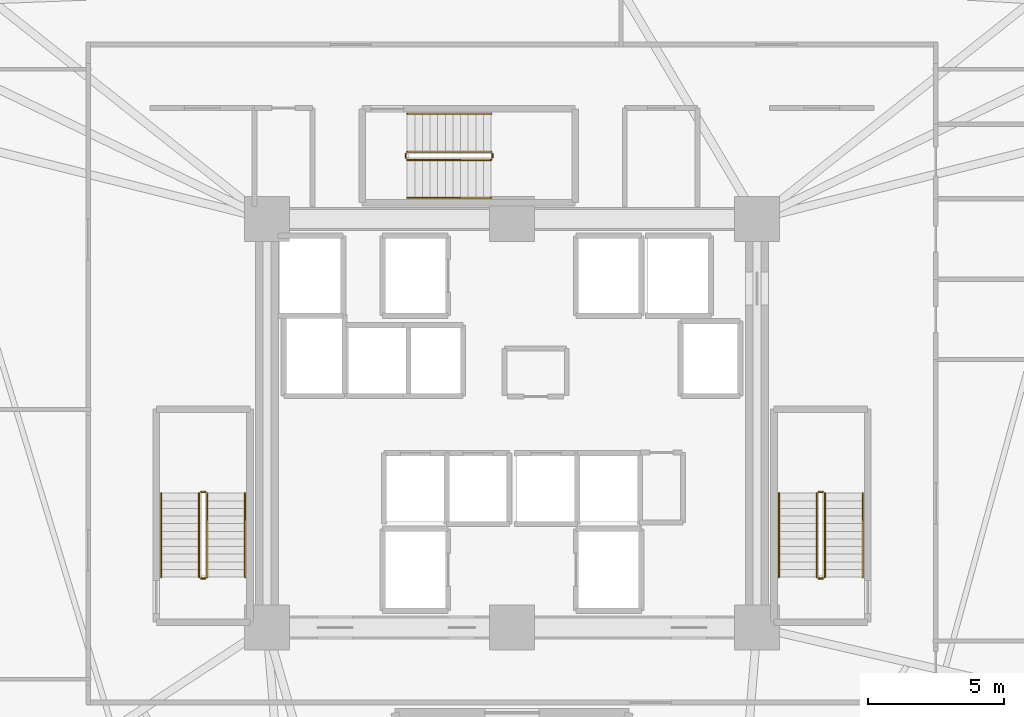
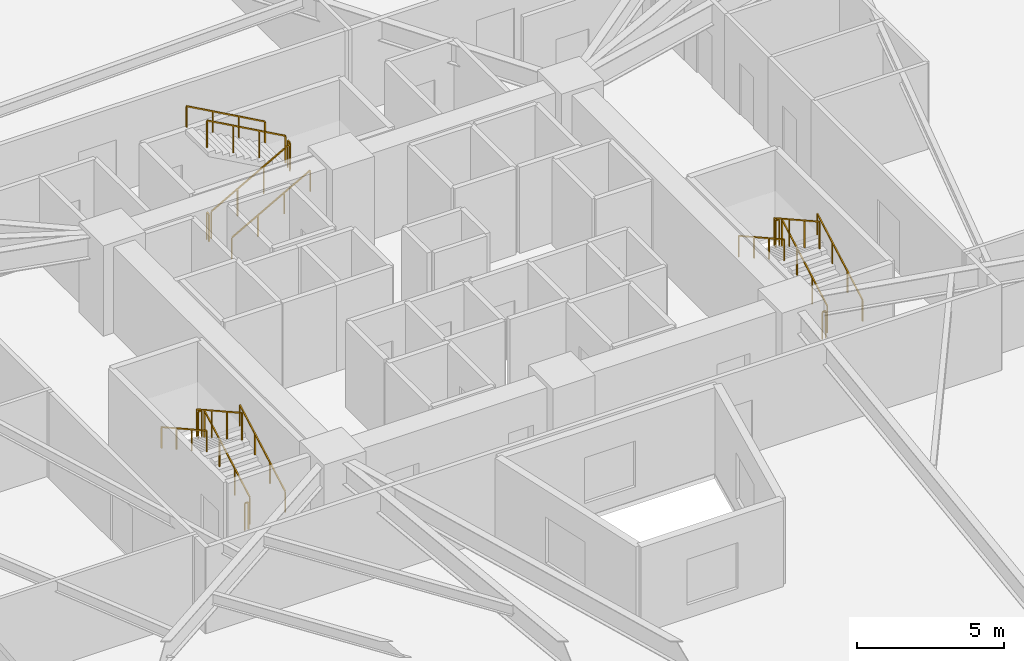
# One storey, part 8 of 8: 18 railings.
"""IFC4 building model written with IfcOpenShell, lengths in metres."""

from ifc_helpers import new_model, si_unit, direction, frame, origin, origin_2d, place, context, subcontext, project, spatial, rectangle, extrude, material, type_object, element, save


model = new_model("IFC4")

# Units and contexts
model_context = context("Model", 3, precision=1e-05, world=origin(), true_north=direction((0.0, 1.0)))
body_context = subcontext(model_context, "Body", "Model", "MODEL_VIEW")
ifc_project = project(units=[si_unit("LENGTHUNIT", "METRE"), si_unit("AREAUNIT", "SQUARE_METRE"), si_unit("VOLUMEUNIT", "CUBIC_METRE"), si_unit("PLANEANGLEUNIT", "RADIAN"), si_unit("MASSUNIT", "GRAM", prefix="KILO")], contexts=[model_context])

# Site, building, storey
site_placement = place(None, origin())
site = spatial("IfcSite", under=ifc_project, at=site_placement, CompositionType="ELEMENT")
building_placement = place(site_placement, origin())
building = spatial("IfcBuilding", under=site, at=building_placement, Name="Liaohun Quay Tower", CompositionType="ELEMENT")
storey_placement = place(building_placement, frame((0.0, 0.0, 63.0)))
storey = spatial("IfcBuildingStorey", under=building, at=storey_placement, Name="L16", CompositionType="ELEMENT", Elevation=63.0)

# Railings
ifc_material_1 = material(Name="Painted tubular steel", Category="steel")
railing_type_1 = type_object("IfcRailingType", Name="RLG-GUARD-STR", PredefinedType="GUARDRAIL", material=ifc_material_1)
railing_1_placement = place(storey_placement, frame((48.81005859375, 48.35009765625, 0.15625)))
element("IfcRailing", 1, at=railing_1_placement, inside=storey, type_object=railing_type_1, Name="L16 ST-1 stair guard 1", PredefinedType="GUARDRAIL", context=body_context, shape_type="SweptSolid", body=[
    extrude(rectangle(XDim=0.048095703125, YDim=0.048095703125, at=origin_2d()), frame((0.0, 0.0, 1.1259765625), z_axis=(0.0, 0.873225103656, 0.487317061414), x_axis=(-1.0, 0.0, 0.0)), (0.0, 0.0, 1.0), 3.52685546875),
    extrude(rectangle(XDim=0.0419921875, YDim=0.0419921875, at=origin_2d()), origin(), (0.0, 0.0, 1.0), 1.101806640625),
    extrude(rectangle(XDim=0.0419921875, YDim=0.0419921875, at=origin_2d()), frame((0.0, 1.026611328125, 0.572998046875)), (0.0, 0.0, 1.0), 1.101806640625),
    extrude(rectangle(XDim=0.0419921875, YDim=0.0419921875, at=origin_2d()), frame((0.0, 2.05322265625, 1.145751953125)), (0.0, 0.0, 1.0), 1.101806640625),
    extrude(rectangle(XDim=0.0419921875, YDim=0.0419921875, at=origin_2d()), frame((0.0, 3.079833984375, 1.71875)), (0.0, 0.0, 1.0), 1.101806640625),
])
railing_2_placement = place(storey_placement, frame((48.72998046875, 51.47998046875, 1.875)))
element("IfcRailing", 2, at=railing_2_placement, inside=storey, type_object=railing_type_1, Name="L16 ST-1 stair guard 2", PredefinedType="GUARDRAIL", context=body_context, shape_type="SweptSolid", body=[
    extrude(rectangle(XDim=0.048095703125, YDim=0.048095703125, at=origin_2d()), frame((0.0, 0.0, 1.1259765625), z_axis=(-1.0, 0.0, 0.0), x_axis=(0.0, -1.0, 0.0)), (0.0, 0.0, 1.0), 0.139892578125),
    extrude(rectangle(XDim=0.0419921875, YDim=0.0419921875, at=origin_2d()), origin(), (0.0, 0.0, 1.0), 1.101806640625),
    extrude(rectangle(XDim=0.0419921875, YDim=0.0419921875, at=origin_2d()), frame((-0.139892578125, 0.0, 0.0)), (0.0, 0.0, 1.0), 1.101806640625),
])
railing_3_placement = place(storey_placement, frame((48.510009765625, 51.429931640625, 2.03125)))
element("IfcRailing", 3, at=railing_3_placement, inside=storey, type_object=railing_type_1, Name="L16 ST-1 stair guard 3", PredefinedType="GUARDRAIL", context=body_context, shape_type="SweptSolid", body=[
    extrude(rectangle(XDim=0.048095703125, YDim=0.048095703125, at=origin_2d()), frame((0.0, 0.0, 1.1259765625), z_axis=(0.0, -0.873225103656, 0.487317061414), x_axis=(1.0, 0.0, 0.0)), (0.0, 0.0, 1.0), 3.52685546875),
    extrude(rectangle(XDim=0.0419921875, YDim=0.0419921875, at=origin_2d()), origin(), (0.0, 0.0, 1.0), 1.101806640625),
    extrude(rectangle(XDim=0.0419921875, YDim=0.0419921875, at=origin_2d()), frame((0.0, -1.026611328125, 0.572998046875)), (0.0, 0.0, 1.0), 1.101806640625),
    extrude(rectangle(XDim=0.0419921875, YDim=0.0419921875, at=origin_2d()), frame((0.0, -2.05322265625, 1.145751953125)), (0.0, 0.0, 1.0), 1.101806640625),
    extrude(rectangle(XDim=0.0419921875, YDim=0.0419921875, at=origin_2d()), frame((0.0, -3.079833984375, 1.71875)), (0.0, 0.0, 1.0), 1.101806640625),
])
railing_4_placement = place(storey_placement, frame((48.72998046875, 48.300048828125, 0.0)))
element("IfcRailing", 4, at=railing_4_placement, inside=storey, type_object=railing_type_1, Name="L16 ST-1 stair guard 4", PredefinedType="GUARDRAIL", context=body_context, shape_type="SweptSolid", body=[
    extrude(rectangle(XDim=0.048095703125, YDim=0.048095703125, at=origin_2d()), frame((0.0, 0.0, 1.1259765625), z_axis=(-1.0, 0.0, 0.0), x_axis=(0.0, -1.0, 0.0)), (0.0, 0.0, 1.0), 0.139892578125),
    extrude(rectangle(XDim=0.0419921875, YDim=0.0419921875, at=origin_2d()), origin(), (0.0, 0.0, 1.0), 1.101806640625),
    extrude(rectangle(XDim=0.0419921875, YDim=0.0419921875, at=origin_2d()), frame((-0.139892578125, 0.0, 0.0)), (0.0, 0.0, 1.0), 1.101806640625),
])
railing_5_placement = place(storey_placement, frame((71.489990234375, 48.35009765625, 0.15625)))
element("IfcRailing", 5, at=railing_5_placement, inside=storey, type_object=railing_type_1, Name="L16 ST-2 stair guard 1", PredefinedType="GUARDRAIL", context=body_context, shape_type="SweptSolid", body=[
    extrude(rectangle(XDim=0.048095703125, YDim=0.048095703125, at=origin_2d()), frame((0.0, 0.0, 1.1259765625), z_axis=(0.0, 0.873225103656, 0.487317061414), x_axis=(-1.0, 0.0, 0.0)), (0.0, 0.0, 1.0), 3.52685546875),
    extrude(rectangle(XDim=0.0419921875, YDim=0.0419921875, at=origin_2d()), origin(), (0.0, 0.0, 1.0), 1.101806640625),
    extrude(rectangle(XDim=0.0419921875, YDim=0.0419921875, at=origin_2d()), frame((0.0, 1.026611328125, 0.572998046875)), (0.0, 0.0, 1.0), 1.101806640625),
    extrude(rectangle(XDim=0.0419921875, YDim=0.0419921875, at=origin_2d()), frame((0.0, 2.05322265625, 1.145751953125)), (0.0, 0.0, 1.0), 1.101806640625),
    extrude(rectangle(XDim=0.0419921875, YDim=0.0419921875, at=origin_2d()), frame((0.0, 3.079833984375, 1.71875)), (0.0, 0.0, 1.0), 1.101806640625),
])
railing_6_placement = place(storey_placement, frame((71.409912109375, 51.47998046875, 1.875)))
element("IfcRailing", 6, at=railing_6_placement, inside=storey, type_object=railing_type_1, Name="L16 ST-2 stair guard 2", PredefinedType="GUARDRAIL", context=body_context, shape_type="SweptSolid", body=[
    extrude(rectangle(XDim=0.048095703125, YDim=0.048095703125, at=origin_2d()), frame((0.0, 0.0, 1.1259765625), z_axis=(-1.0, 0.0, 0.0), x_axis=(0.0, -1.0, 0.0)), (0.0, 0.0, 1.0), 0.139892578125),
    extrude(rectangle(XDim=0.0419921875, YDim=0.0419921875, at=origin_2d()), origin(), (0.0, 0.0, 1.0), 1.101806640625),
    extrude(rectangle(XDim=0.0419921875, YDim=0.0419921875, at=origin_2d()), frame((-0.139892578125, 0.0, 0.0)), (0.0, 0.0, 1.0), 1.101806640625),
])
railing_7_placement = place(storey_placement, frame((71.18994140625, 51.429931640625, 2.03125)))
element("IfcRailing", 7, at=railing_7_placement, inside=storey, type_object=railing_type_1, Name="L16 ST-2 stair guard 3", PredefinedType="GUARDRAIL", context=body_context, shape_type="SweptSolid", body=[
    extrude(rectangle(XDim=0.048095703125, YDim=0.048095703125, at=origin_2d()), frame((0.0, 0.0, 1.1259765625), z_axis=(0.0, -0.873225103656, 0.487317061414), x_axis=(1.0, 0.0, 0.0)), (0.0, 0.0, 1.0), 3.52685546875),
    extrude(rectangle(XDim=0.0419921875, YDim=0.0419921875, at=origin_2d()), origin(), (0.0, 0.0, 1.0), 1.101806640625),
    extrude(rectangle(XDim=0.0419921875, YDim=0.0419921875, at=origin_2d()), frame((0.0, -1.026611328125, 0.572998046875)), (0.0, 0.0, 1.0), 1.101806640625),
    extrude(rectangle(XDim=0.0419921875, YDim=0.0419921875, at=origin_2d()), frame((0.0, -2.05322265625, 1.145751953125)), (0.0, 0.0, 1.0), 1.101806640625),
    extrude(rectangle(XDim=0.0419921875, YDim=0.0419921875, at=origin_2d()), frame((0.0, -3.079833984375, 1.71875)), (0.0, 0.0, 1.0), 1.101806640625),
])
railing_8_placement = place(storey_placement, frame((71.409912109375, 48.300048828125, 0.0)))
element("IfcRailing", 8, at=railing_8_placement, inside=storey, type_object=railing_type_1, Name="L16 ST-2 stair guard 4", PredefinedType="GUARDRAIL", context=body_context, shape_type="SweptSolid", body=[
    extrude(rectangle(XDim=0.048095703125, YDim=0.048095703125, at=origin_2d()), frame((0.0, 0.0, 1.1259765625), z_axis=(-1.0, 0.0, 0.0), x_axis=(0.0, -1.0, 0.0)), (0.0, 0.0, 1.0), 0.139892578125),
    extrude(rectangle(XDim=0.0419921875, YDim=0.0419921875, at=origin_2d()), origin(), (0.0, 0.0, 1.0), 1.101806640625),
    extrude(rectangle(XDim=0.0419921875, YDim=0.0419921875, at=origin_2d()), frame((-0.139892578125, 0.0, 0.0)), (0.0, 0.0, 1.0), 1.101806640625),
])
railing_9_placement = place(storey_placement, frame((56.14990234375, 63.669921875, 0.15625)))
element("IfcRailing", 9, at=railing_9_placement, inside=storey, type_object=railing_type_1, Name="L16 ST-3 stair guard 1", PredefinedType="GUARDRAIL", context=body_context, shape_type="SweptSolid", body=[
    extrude(rectangle(XDim=0.048095703125, YDim=0.048095703125, at=origin_2d()), frame((0.0, 0.0, 1.1259765625), z_axis=(0.873241540666, 0.0, 0.487287606713), x_axis=(0.0, 1.0, 0.0)), (0.0, 0.0, 1.0), 3.527099609375),
    extrude(rectangle(XDim=0.0419921875, YDim=0.0419921875, at=origin_2d()), origin(), (0.0, 0.0, 1.0), 1.101806640625),
    extrude(rectangle(XDim=0.0419921875, YDim=0.0419921875, at=origin_2d()), frame((1.026611328125, 0.0, 0.572998046875)), (0.0, 0.0, 1.0), 1.101806640625),
    extrude(rectangle(XDim=0.0419921875, YDim=0.0419921875, at=origin_2d()), frame((2.053466796875, 0.0, 1.145751953125)), (0.0, 0.0, 1.0), 1.101806640625),
    extrude(rectangle(XDim=0.0419921875, YDim=0.0419921875, at=origin_2d()), frame((3.080078125, 0.0, 1.71875)), (0.0, 0.0, 1.0), 1.101806640625),
])
railing_10_placement = place(storey_placement, frame((59.280029296875, 63.75, 1.875)))
element("IfcRailing", 10, at=railing_10_placement, inside=storey, type_object=railing_type_1, Name="L16 ST-3 stair guard 2", PredefinedType="GUARDRAIL", context=body_context, shape_type="SweptSolid", body=[
    extrude(rectangle(XDim=0.048095703125, YDim=0.048095703125, at=origin_2d()), frame((0.0, 0.0, 1.1259765625), z_axis=(0.0, 1.0, 0.0), x_axis=(-1.0, 0.0, 0.0)), (0.0, 0.0, 1.0), 0.139892578125),
    extrude(rectangle(XDim=0.0419921875, YDim=0.0419921875, at=origin_2d()), origin(), (0.0, 0.0, 1.0), 1.101806640625),
    extrude(rectangle(XDim=0.0419921875, YDim=0.0419921875, at=origin_2d()), frame((0.0, 0.139892578125, 0.0)), (0.0, 0.0, 1.0), 1.101806640625),
])
railing_11_placement = place(storey_placement, frame((59.22998046875, 63.969970703125, 2.03125)))
element("IfcRailing", 11, at=railing_11_placement, inside=storey, type_object=railing_type_1, Name="L16 ST-3 stair guard 3", PredefinedType="GUARDRAIL", context=body_context, shape_type="SweptSolid", body=[
    extrude(rectangle(XDim=0.048095703125, YDim=0.048095703125, at=origin_2d()), frame((0.0, 0.0, 1.1259765625), z_axis=(-0.873241540666, 0.0, 0.487287606713), x_axis=(0.0, -1.0, 0.0)), (0.0, 0.0, 1.0), 3.527099609375),
    extrude(rectangle(XDim=0.0419921875, YDim=0.0419921875, at=origin_2d()), origin(), (0.0, 0.0, 1.0), 1.101806640625),
    extrude(rectangle(XDim=0.0419921875, YDim=0.0419921875, at=origin_2d()), frame((-1.026611328125, 0.0, 0.572998046875)), (0.0, 0.0, 1.0), 1.101806640625),
    extrude(rectangle(XDim=0.0419921875, YDim=0.0419921875, at=origin_2d()), frame((-2.053466796875, 0.0, 1.145751953125)), (0.0, 0.0, 1.0), 1.101806640625),
    extrude(rectangle(XDim=0.0419921875, YDim=0.0419921875, at=origin_2d()), frame((-3.080078125, 0.0, 1.71875)), (0.0, 0.0, 1.0), 1.101806640625),
])
railing_12_placement = place(storey_placement, frame((56.10009765625, 63.75, 0.0)))
element("IfcRailing", 12, at=railing_12_placement, inside=storey, type_object=railing_type_1, Name="L16 ST-3 stair guard 4", PredefinedType="GUARDRAIL", context=body_context, shape_type="SweptSolid", body=[
    extrude(rectangle(XDim=0.048095703125, YDim=0.048095703125, at=origin_2d()), frame((0.0, 0.0, 1.1259765625), z_axis=(0.0, 1.0, 0.0), x_axis=(-1.0, 0.0, 0.0)), (0.0, 0.0, 1.0), 0.139892578125),
    extrude(rectangle(XDim=0.0419921875, YDim=0.0419921875, at=origin_2d()), origin(), (0.0, 0.0, 1.0), 1.101806640625),
    extrude(rectangle(XDim=0.0419921875, YDim=0.0419921875, at=origin_2d()), frame((0.0, 0.139892578125, 0.0)), (0.0, 0.0, 1.0), 1.101806640625),
])
ifc_material_2 = material(Name="Brushed stainless steel", Category="steel")
railing_type_2 = type_object("IfcRailingType", Name="RLG-HND-STR", PredefinedType="HANDRAIL", material=ifc_material_2)
railing_13_placement = place(storey_placement, frame((50.199951171875, 48.35009765625, 0.15625)))
element("IfcRailing", 13, at=railing_13_placement, inside=storey, type_object=railing_type_2, Name="L16 ST-1 stair handrail 1", PredefinedType="HANDRAIL", context=body_context, shape_type="SweptSolid", body=[
    extrude(rectangle(XDim=0.048095703125, YDim=0.048095703125, at=origin_2d()), frame((0.0, 0.0, 0.8759765625), z_axis=(0.0, 0.873225103656, 0.487317061414), x_axis=(-1.0, 0.0, 0.0)), (0.0, 0.0, 1.0), 3.52685546875),
    extrude(rectangle(XDim=0.0419921875, YDim=0.0419921875, at=origin_2d()), origin(), (0.0, 0.0, 1.0), 0.851806640625),
    extrude(rectangle(XDim=0.0419921875, YDim=0.0419921875, at=origin_2d()), frame((0.0, 1.026611328125, 0.572998046875)), (0.0, 0.0, 1.0), 0.851806640625),
    extrude(rectangle(XDim=0.0419921875, YDim=0.0419921875, at=origin_2d()), frame((0.0, 2.05322265625, 1.145751953125)), (0.0, 0.0, 1.0), 0.851806640625),
    extrude(rectangle(XDim=0.0419921875, YDim=0.0419921875, at=origin_2d()), frame((0.0, 3.079833984375, 1.71875)), (0.0, 0.0, 1.0), 0.851806640625),
])
railing_14_placement = place(storey_placement, frame((47.1201171875, 51.429931640625, 2.03125)))
element("IfcRailing", 14, at=railing_14_placement, inside=storey, type_object=railing_type_2, Name="L16 ST-1 stair handrail 2", PredefinedType="HANDRAIL", context=body_context, shape_type="SweptSolid", body=[
    extrude(rectangle(XDim=0.048095703125, YDim=0.048095703125, at=origin_2d()), frame((0.0, 0.0, 0.8759765625), z_axis=(0.0, -0.873225103656, 0.487317061414), x_axis=(1.0, 0.0, 0.0)), (0.0, 0.0, 1.0), 3.52685546875),
    extrude(rectangle(XDim=0.0419921875, YDim=0.0419921875, at=origin_2d()), origin(), (0.0, 0.0, 1.0), 0.851806640625),
    extrude(rectangle(XDim=0.0419921875, YDim=0.0419921875, at=origin_2d()), frame((0.0, -1.026611328125, 0.572998046875)), (0.0, 0.0, 1.0), 0.851806640625),
    extrude(rectangle(XDim=0.0419921875, YDim=0.0419921875, at=origin_2d()), frame((0.0, -2.05322265625, 1.145751953125)), (0.0, 0.0, 1.0), 0.851806640625),
    extrude(rectangle(XDim=0.0419921875, YDim=0.0419921875, at=origin_2d()), frame((0.0, -3.079833984375, 1.71875)), (0.0, 0.0, 1.0), 0.851806640625),
])
railing_15_placement = place(storey_placement, frame((72.8798828125, 48.35009765625, 0.15625)))
element("IfcRailing", 15, at=railing_15_placement, inside=storey, type_object=railing_type_2, Name="L16 ST-2 stair handrail 1", PredefinedType="HANDRAIL", context=body_context, shape_type="SweptSolid", body=[
    extrude(rectangle(XDim=0.048095703125, YDim=0.048095703125, at=origin_2d()), frame((0.0, 0.0, 0.8759765625), z_axis=(0.0, 0.873225103656, 0.487317061414), x_axis=(-1.0, 0.0, 0.0)), (0.0, 0.0, 1.0), 3.52685546875),
    extrude(rectangle(XDim=0.0419921875, YDim=0.0419921875, at=origin_2d()), origin(), (0.0, 0.0, 1.0), 0.851806640625),
    extrude(rectangle(XDim=0.0419921875, YDim=0.0419921875, at=origin_2d()), frame((0.0, 1.026611328125, 0.572998046875)), (0.0, 0.0, 1.0), 0.851806640625),
    extrude(rectangle(XDim=0.0419921875, YDim=0.0419921875, at=origin_2d()), frame((0.0, 2.05322265625, 1.145751953125)), (0.0, 0.0, 1.0), 0.851806640625),
    extrude(rectangle(XDim=0.0419921875, YDim=0.0419921875, at=origin_2d()), frame((0.0, 3.079833984375, 1.71875)), (0.0, 0.0, 1.0), 0.851806640625),
])
railing_16_placement = place(storey_placement, frame((69.800048828125, 51.429931640625, 2.03125)))
element("IfcRailing", 16, at=railing_16_placement, inside=storey, type_object=railing_type_2, Name="L16 ST-2 stair handrail 2", PredefinedType="HANDRAIL", context=body_context, shape_type="SweptSolid", body=[
    extrude(rectangle(XDim=0.048095703125, YDim=0.048095703125, at=origin_2d()), frame((0.0, 0.0, 0.8759765625), z_axis=(0.0, -0.873225103656, 0.487317061414), x_axis=(1.0, 0.0, 0.0)), (0.0, 0.0, 1.0), 3.52685546875),
    extrude(rectangle(XDim=0.0419921875, YDim=0.0419921875, at=origin_2d()), origin(), (0.0, 0.0, 1.0), 0.851806640625),
    extrude(rectangle(XDim=0.0419921875, YDim=0.0419921875, at=origin_2d()), frame((0.0, -1.026611328125, 0.572998046875)), (0.0, 0.0, 1.0), 0.851806640625),
    extrude(rectangle(XDim=0.0419921875, YDim=0.0419921875, at=origin_2d()), frame((0.0, -2.05322265625, 1.145751953125)), (0.0, 0.0, 1.0), 0.851806640625),
    extrude(rectangle(XDim=0.0419921875, YDim=0.0419921875, at=origin_2d()), frame((0.0, -3.079833984375, 1.71875)), (0.0, 0.0, 1.0), 0.851806640625),
])
railing_17_placement = place(storey_placement, frame((56.14990234375, 62.280029296875, 0.15625)))
element("IfcRailing", 17, at=railing_17_placement, inside=storey, type_object=railing_type_2, Name="L16 ST-3 stair handrail 1", PredefinedType="HANDRAIL", context=body_context, shape_type="SweptSolid", body=[
    extrude(rectangle(XDim=0.048095703125, YDim=0.048095703125, at=origin_2d()), frame((0.0, 0.0, 0.8759765625), z_axis=(0.873241540666, 0.0, 0.487287606713), x_axis=(0.0, 1.0, 0.0)), (0.0, 0.0, 1.0), 3.527099609375),
    extrude(rectangle(XDim=0.0419921875, YDim=0.0419921875, at=origin_2d()), origin(), (0.0, 0.0, 1.0), 0.851806640625),
    extrude(rectangle(XDim=0.0419921875, YDim=0.0419921875, at=origin_2d()), frame((1.026611328125, 0.0, 0.572998046875)), (0.0, 0.0, 1.0), 0.851806640625),
    extrude(rectangle(XDim=0.0419921875, YDim=0.0419921875, at=origin_2d()), frame((2.053466796875, 0.0, 1.145751953125)), (0.0, 0.0, 1.0), 0.851806640625),
    extrude(rectangle(XDim=0.0419921875, YDim=0.0419921875, at=origin_2d()), frame((3.080078125, 0.0, 1.71875)), (0.0, 0.0, 1.0), 0.851806640625),
])
railing_18_placement = place(storey_placement, frame((59.22998046875, 65.360107421875, 2.03125)))
element("IfcRailing", 18, at=railing_18_placement, inside=storey, type_object=railing_type_2, Name="L16 ST-3 stair handrail 2", PredefinedType="HANDRAIL", context=body_context, shape_type="SweptSolid", body=[
    extrude(rectangle(XDim=0.048095703125, YDim=0.048095703125, at=origin_2d()), frame((0.0, 0.0, 0.8759765625), z_axis=(-0.873241540666, 0.0, 0.487287606713), x_axis=(0.0, -1.0, 0.0)), (0.0, 0.0, 1.0), 3.527099609375),
    extrude(rectangle(XDim=0.0419921875, YDim=0.0419921875, at=origin_2d()), origin(), (0.0, 0.0, 1.0), 0.851806640625),
    extrude(rectangle(XDim=0.0419921875, YDim=0.0419921875, at=origin_2d()), frame((-1.026611328125, 0.0, 0.572998046875)), (0.0, 0.0, 1.0), 0.851806640625),
    extrude(rectangle(XDim=0.0419921875, YDim=0.0419921875, at=origin_2d()), frame((-2.053466796875, 0.0, 1.145751953125)), (0.0, 0.0, 1.0), 0.851806640625),
    extrude(rectangle(XDim=0.0419921875, YDim=0.0419921875, at=origin_2d()), frame((-3.080078125, 0.0, 1.71875)), (0.0, 0.0, 1.0), 0.851806640625),
])

save(model, "model.ifc")
